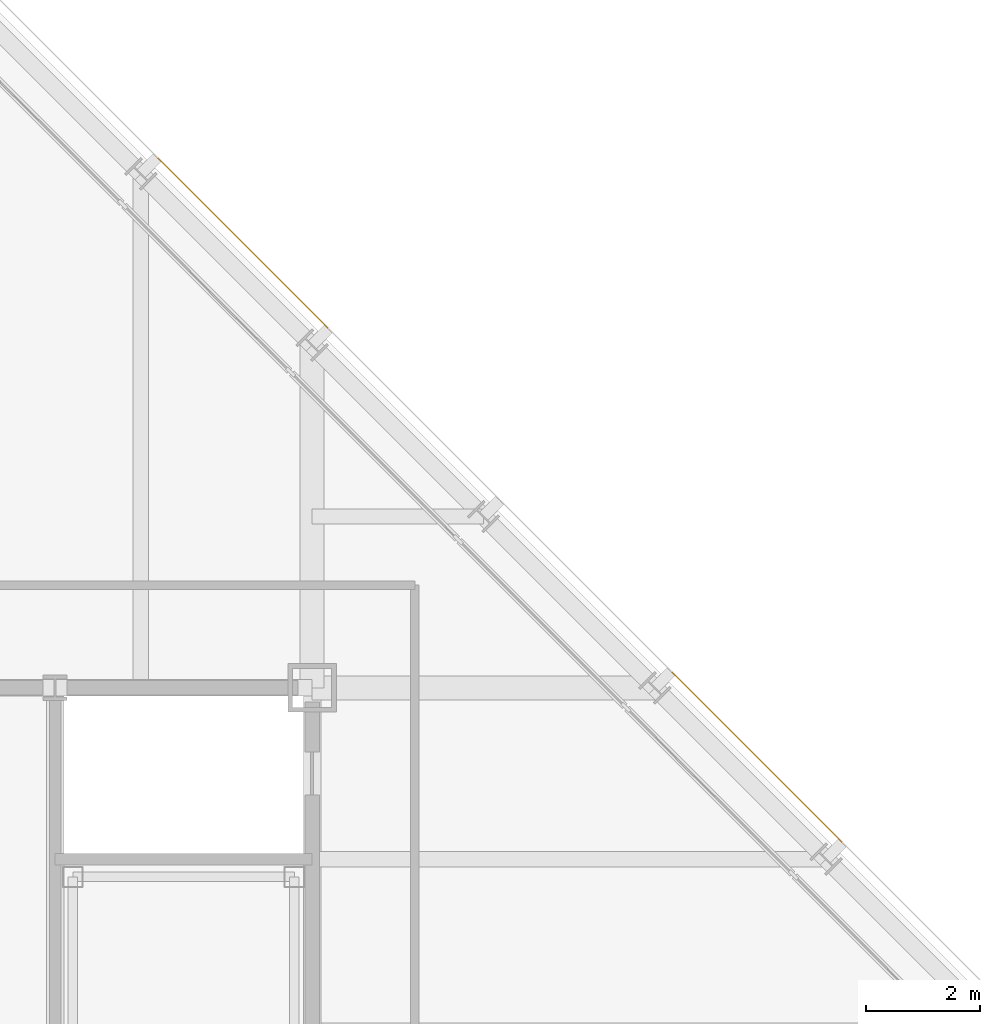
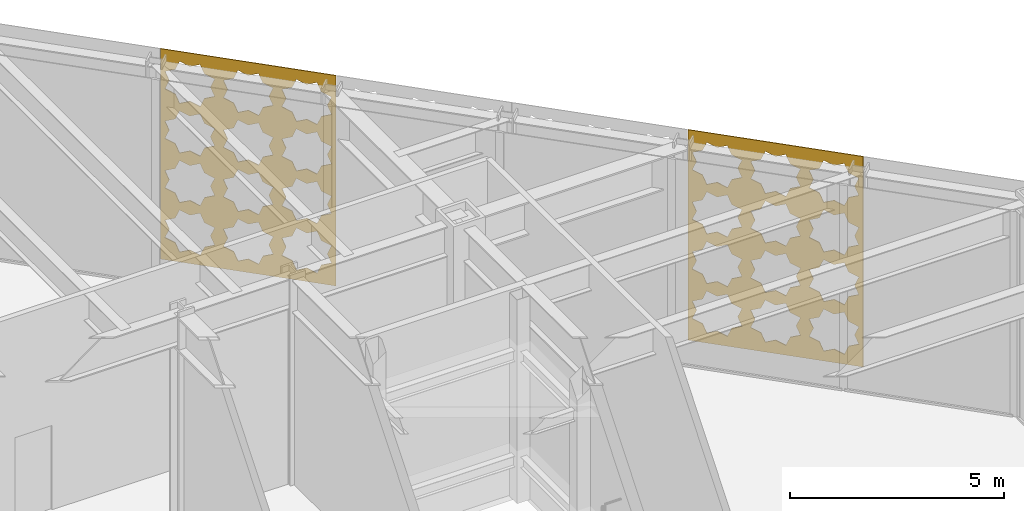
# One storey, part 28 of 28: 2 coverings.
"""IFC4 building model written with IfcOpenShell, lengths in metres."""

import ifcopenshell
import ifcopenshell.guid

model = None  # the IFC model being written
_history = None  # IfcOwnerHistory: only IFC2X3 demands one
_inside = {}  # id of a spatial element -> (the spatial element, [elements in it])
_under = {}  # id of a project, library or spatial element -> (it, [spatial elements below it])
_declared = {}  # id of a project -> (the project, [libraries it declares])
_typed = {}  # id of a type object -> (the type object, [elements of that type])
_made_of = {}  # id of a material, layer set ... -> (it, [elements and type objects made of it])


def new_model(schema):
    """Start an empty IFC model of exactly this schema.

    Asked for "IFC4X3", IfcOpenShell would pick the latest addendum, in which some entities
    have other attributes; the version numbers below select the first issue.
    IFC2X3 requires an IfcOwnerHistory on every rooted entity: one is made here for all.
    """
    global model, _history
    if schema == "IFC4X3":
        model = ifcopenshell.file(schema_version=(4, 3, 0, 0))
    else:
        model = ifcopenshell.file(schema=schema)
    _inside.clear()
    _under.clear()
    _declared.clear()
    _typed.clear()
    _made_of.clear()
    _history = None
    if model.schema == "IFC2X3":
        org = make("IfcOrganization", Name="unknown")
        user = make(
            "IfcPersonAndOrganization",
            ThePerson=make("IfcPerson", FamilyName="unknown"),
            TheOrganization=org,
        )
        app = make(
            "IfcApplication",
            ApplicationDeveloper=org,
            Version="unknown",
            ApplicationFullName="unknown",
            ApplicationIdentifier="unknown",
        )
        _history = make(
            "IfcOwnerHistory",
            OwningUser=user,
            OwningApplication=app,
            ChangeAction="ADDED",
            CreationDate=0,
        )
    return model


def make(cls, **values):
    """One entity of the class cls with the attributes given. An attribute that is None is left unset."""
    return model.create_entity(
        cls, **{name: value for name, value in values.items() if value is not None}
    )


def rooted(cls, **values):
    """An entity with a GlobalId (a new one), such as an element, a storey or a relation."""
    return make(cls, GlobalId=ifcopenshell.guid.new(), OwnerHistory=_history, **values)


def si_unit(unit_type, name, prefix=None):
    """IfcSIUnit, for example si_unit("LENGTHUNIT", "METRE", prefix="MILLI")."""
    return make("IfcSIUnit", UnitType=unit_type, Prefix=prefix, Name=name)


def assignment(units):
    """IfcUnitAssignment: the units of a project."""
    return None if units is None else make("IfcUnitAssignment", Units=units)


def point(xyz):
    """IfcCartesianPoint."""
    return None if xyz is None else make("IfcCartesianPoint", Coordinates=xyz)


def direction(xyz):
    """IfcDirection."""
    return None if xyz is None else make("IfcDirection", DirectionRatios=xyz)


def frame(location, z_axis=None, x_axis=None):
    """IfcAxis2Placement3D, a coordinate frame: its origin and axes. An axis left out is left unset."""
    return make(
        "IfcAxis2Placement3D",
        Location=point(location),
        Axis=direction(z_axis),
        RefDirection=direction(x_axis),
    )


def origin():
    """The frame at (0, 0, 0) with its axes left unset."""
    return frame((0.0, 0.0, 0.0))


def place(relative_to, where):
    """IfcLocalPlacement: puts the frame where relative to a parent placement (None: the world)."""
    return make(
        "IfcLocalPlacement", PlacementRelTo=relative_to, RelativePlacement=where
    )


def context(
    kind, dimensions, precision=None, world=None, true_north=None, identifier=None
):
    """IfcGeometricRepresentationContext, for example the 3D "Model" context."""
    return make(
        "IfcGeometricRepresentationContext",
        ContextIdentifier=identifier,
        ContextType=kind,
        CoordinateSpaceDimension=dimensions,
        Precision=precision,
        WorldCoordinateSystem=world,
        TrueNorth=true_north,
    )


def subcontext(parent, identifier, kind, view, scale=None):
    """IfcGeometricRepresentationSubContext, for example "Body" below "Model"."""
    return make(
        "IfcGeometricRepresentationSubContext",
        ContextIdentifier=identifier,
        ContextType=kind,
        ParentContext=parent,
        TargetScale=scale,
        TargetView=view,
    )


def project(units=None, contexts=None):
    """IfcProject with its units and contexts."""
    return rooted(
        "IfcProject",
        Name="project",
        RepresentationContexts=contexts,
        UnitsInContext=assignment(units),
    )


def spatial(cls, under=None, at=None, **own):
    """A site, building, storey or space (cls), placed at a placement, below another one or the project."""
    s = rooted(cls, ObjectPlacement=at, **own)
    if under is not None:
        _under.setdefault(under.id(), (under, []))[1].append(s)
    return s


def polyline(points):
    """IfcPolyline through the points."""
    return make("IfcPolyline", Points=[point(p) for p in points])


def outline(outer, holes=None, kind="AREA"):
    """IfcArbitraryClosedProfileDef: a profile drawn as a closed curve; with holes, ...WithVoids."""
    if holes is None:
        return make("IfcArbitraryClosedProfileDef", ProfileType=kind, OuterCurve=outer)
    return make(
        "IfcArbitraryProfileDefWithVoids",
        ProfileType=kind,
        OuterCurve=outer,
        InnerCurves=holes,
    )


def extrude(swept, where, along, depth):
    """IfcExtrudedAreaSolid: the profile swept, set in the frame where, extruded along a direction by depth."""
    return make(
        "IfcExtrudedAreaSolid",
        SweptArea=swept,
        Position=where,
        ExtrudedDirection=direction(along),
        Depth=depth,
    )


def shape(context_of_items, identifier, shape_type, items):
    """IfcShapeRepresentation: the items that make up one representation, for example the "Body"."""
    return make(
        "IfcShapeRepresentation",
        ContextOfItems=context_of_items,
        RepresentationIdentifier=identifier,
        RepresentationType=shape_type,
        Items=items,
    )


def material(Name=None, Category=None):
    """IfcMaterial."""
    return make("IfcMaterial", Name=Name, Category=Category)


def layer(
    of_material, thickness, ventilated=None, Name=None, Category=None, Priority=None
):
    """IfcMaterialLayer: one layer of a wall or slab, of a material (None: an air gap)."""
    return make(
        "IfcMaterialLayer",
        Material=of_material,
        LayerThickness=thickness,
        IsVentilated=ventilated,
        Name=Name,
        Category=Category,
        Priority=Priority,
    )


def layer_set(layers, Name=None):
    """IfcMaterialLayerSet."""
    return make("IfcMaterialLayerSet", MaterialLayers=layers, LayerSetName=Name)


def made_of(thing, what):
    """Note that an element or type object is made of a material, layer set ...; save() writes the relation."""
    if what is not None:
        _made_of.setdefault(what.id(), (what, []))[1].append(thing)
    return thing


def type_object(cls, material=None, **own):
    """A type object (cls), such as IfcWallType, which elements share."""
    return made_of(rooted(cls, **own), material)


def element(
    cls,
    number,
    at=None,
    inside=None,
    cuts=None,
    type_object=None,
    material=None,
    context=None,
    identifier="Body",
    shape_type=None,
    held_by="IfcProductDefinitionShape",
    body=None,
    shapes=None,
    **own,
):
    """One element of the class cls, such as IfcWall. Its Tag is "e" and its number.

    at: its placement. inside: the storey or other place that contains it. cuts: it is an
    opening in that element (IfcRelVoidsElement). A single representation is given by context,
    identifier, shape_type and body (its items); several are given by shapes. held_by: the class
    of the entity that holds the representations. save() writes the other relations.
    """
    e = rooted(cls, Tag="e%d" % number, ObjectPlacement=at, **own)
    if body is not None:
        shapes = [shape(context, identifier, shape_type, body)]
    if shapes is not None:
        e.Representation = make(held_by, Representations=shapes)
    if inside is not None:
        _inside.setdefault(inside.id(), (inside, []))[1].append(e)
    if cuts is not None:
        rooted(
            "IfcRelVoidsElement", RelatingBuildingElement=cuts, RelatedOpeningElement=e
        )
    if type_object is not None:
        _typed.setdefault(type_object.id(), (type_object, []))[1].append(e)
    return made_of(e, material)


def aggregate(whole, parts):
    """IfcRelAggregates: a whole, such as a stair, and the parts it consists of."""
    return rooted("IfcRelAggregates", RelatingObject=whole, RelatedObjects=parts)


def save(model, path):
    """Write the relations noted so far, then the file.

    IfcRelAggregates (storeys below a building ...), IfcRelContainedInSpatialStructure (elements
    in a storey), IfcRelDefinesByType, IfcRelAssociatesMaterial and IfcRelDeclares: one each for
    every whole, place, type object, material and project.
    """
    for whole, parts in _under.values():
        aggregate(whole, parts)
    for where, things in _inside.values():
        rooted(
            "IfcRelContainedInSpatialStructure",
            RelatedElements=things,
            RelatingStructure=where,
        )
    for kind, things in _typed.values():
        rooted("IfcRelDefinesByType", RelatedObjects=things, RelatingType=kind)
    for what, things in _made_of.values():
        rooted("IfcRelAssociatesMaterial", RelatedObjects=things, RelatingMaterial=what)
    for by, libraries in _declared.values():
        rooted("IfcRelDeclares", RelatingContext=by, RelatedDefinitions=libraries)
    model.write(path)


model = new_model("IFC4")

# Units and contexts
model_context = context("Model", 3, precision=1e-05, world=origin(), true_north=direction((0.0, 1.0)))
body_context = subcontext(model_context, "Body", "Model", "MODEL_VIEW")
ifc_project = project(units=[si_unit("LENGTHUNIT", "METRE"), si_unit("AREAUNIT", "SQUARE_METRE"), si_unit("VOLUMEUNIT", "CUBIC_METRE"), si_unit("PLANEANGLEUNIT", "RADIAN"), si_unit("MASSUNIT", "GRAM", prefix="KILO")], contexts=[model_context])

# Site, building, storey
site_placement = place(None, origin())
site = spatial("IfcSite", under=ifc_project, at=site_placement, CompositionType="ELEMENT")
building_placement = place(site_placement, origin())
building = spatial("IfcBuilding", under=site, at=building_placement, Name="Chuquiago Exchange Tower", CompositionType="ELEMENT")
storey_placement = place(building_placement, frame((0.0, 0.0, 300.0)))
storey = spatial("IfcBuildingStorey", under=building, at=storey_placement, Name="L67", CompositionType="ELEMENT", Elevation=300.0)

# Coverings
ifc_material = material(Name="Anodised aluminium, pale", Category="aluminium")
ifc_layer = layer(ifc_material, 0.02001953125)
ifc_layer_set = layer_set([ifc_layer], Name="GC4 girih cladding panel 20")
covering_type = type_object("IfcCoveringType", Name="GC4 girih cladding panel 20", PredefinedType="CLADDING", material=ifc_layer_set)
covering_1_placement = place(storey_placement, frame((42.279296875, 30.286376953125, 0.0048828125), z_axis=(0.0, 0.0, 1.0), x_axis=(-0.707106781187, 0.707106781187, 0.0)))
element("IfcCovering", 1, at=covering_1_placement, inside=storey, type_object=covering_type, Name="Girih cladding panel L67 NE 2", PredefinedType="CLADDING", context=body_context, shape_type="SweptSolid", body=[
    extrude(outline(polyline([(0.0, 0.0), (4.232666015625, 0.0), (4.232666015625, 5.990234375), (0.0, 5.990234375), (0.0, 0.0)]), holes=[polyline([(1.2021484375, 0.878662109375), (1.304931640625, 1.127197265625), (1.056640625, 1.22998046875), (0.953857421875, 1.478271484375), (0.70556640625, 1.37548828125), (0.45703125, 1.478271484375), (0.354248046875, 1.22998046875), (0.10595703125, 1.127197265625), (0.208740234375, 0.878662109375), (0.10595703125, 0.63037109375), (0.354248046875, 0.527587890625), (0.45703125, 0.279296875), (0.705322265625, 0.382080078125), (0.953857421875, 0.279296875), (1.056640625, 0.527587890625), (1.304931640625, 0.63037109375), (1.2021484375, 0.878662109375)]), polyline([(2.613037109375, 0.878662109375), (2.7158203125, 1.127197265625), (2.467529296875, 1.22998046875), (2.36474609375, 1.478271484375), (2.116455078125, 1.37548828125), (1.867919921875, 1.478271484375), (1.76513671875, 1.22998046875), (1.516845703125, 1.127197265625), (1.61962890625, 0.878662109375), (1.516845703125, 0.63037109375), (1.76513671875, 0.527587890625), (1.867919921875, 0.279296875), (2.116455078125, 0.382080078125), (2.36474609375, 0.279296875), (2.467529296875, 0.527587890625), (2.7158203125, 0.63037109375), (2.613037109375, 0.878662109375)]), polyline([(4.02392578125, 0.878662109375), (4.126708984375, 1.127197265625), (3.87841796875, 1.22998046875), (3.775634765625, 1.478271484375), (3.527099609375, 1.37548828125), (3.27880859375, 1.478271484375), (3.176025390625, 1.22998046875), (2.927734375, 1.127197265625), (3.030517578125, 0.878662109375), (2.927734375, 0.63037109375), (3.176025390625, 0.527587890625), (3.27880859375, 0.279296875), (3.527099609375, 0.382080078125), (3.775634765625, 0.279296875), (3.87841796875, 0.527587890625), (4.126708984375, 0.63037109375), (4.02392578125, 0.878662109375)]), polyline([(1.2021484375, 2.289794921875), (1.304931640625, 2.5380859375), (1.056640625, 2.640869140625), (0.953857421875, 2.88916015625), (0.70556640625, 2.786376953125), (0.45703125, 2.88916015625), (0.354248046875, 2.640869140625), (0.10595703125, 2.5380859375), (0.208740234375, 2.289794921875), (0.10595703125, 2.041259765625), (0.354248046875, 1.9384765625), (0.45703125, 1.690185546875), (0.705322265625, 1.79296875), (0.953857421875, 1.690185546875), (1.056640625, 1.9384765625), (1.304931640625, 2.041259765625), (1.2021484375, 2.289794921875)]), polyline([(2.613037109375, 2.289794921875), (2.7158203125, 2.5380859375), (2.467529296875, 2.640869140625), (2.36474609375, 2.88916015625), (2.116455078125, 2.786376953125), (1.867919921875, 2.88916015625), (1.76513671875, 2.640869140625), (1.516845703125, 2.5380859375), (1.61962890625, 2.289794921875), (1.516845703125, 2.041259765625), (1.76513671875, 1.9384765625), (1.867919921875, 1.690185546875), (2.116455078125, 1.79296875), (2.36474609375, 1.690185546875), (2.467529296875, 1.9384765625), (2.7158203125, 2.041259765625), (2.613037109375, 2.289794921875)]), polyline([(4.02392578125, 2.289794921875), (4.126708984375, 2.5380859375), (3.87841796875, 2.640869140625), (3.775634765625, 2.88916015625), (3.527099609375, 2.786376953125), (3.27880859375, 2.88916015625), (3.176025390625, 2.640869140625), (2.927734375, 2.5380859375), (3.030517578125, 2.289794921875), (2.927734375, 2.041259765625), (3.176025390625, 1.9384765625), (3.27880859375, 1.690185546875), (3.527099609375, 1.79296875), (3.775634765625, 1.690185546875), (3.87841796875, 1.9384765625), (4.126708984375, 2.041259765625), (4.02392578125, 2.289794921875)]), polyline([(1.2021484375, 3.700439453125), (1.304931640625, 3.948974609375), (1.056640625, 4.0517578125), (0.953857421875, 4.300048828125), (0.70556640625, 4.197265625), (0.45703125, 4.300048828125), (0.354248046875, 4.0517578125), (0.10595703125, 3.948974609375), (0.208740234375, 3.700439453125), (0.10595703125, 3.4521484375), (0.354248046875, 3.349365234375), (0.45703125, 3.10107421875), (0.705322265625, 3.203857421875), (0.953857421875, 3.10107421875), (1.056640625, 3.349365234375), (1.304931640625, 3.4521484375), (1.2021484375, 3.700439453125)]), polyline([(2.613037109375, 3.700439453125), (2.7158203125, 3.948974609375), (2.467529296875, 4.0517578125), (2.36474609375, 4.300048828125), (2.116455078125, 4.197265625), (1.867919921875, 4.300048828125), (1.76513671875, 4.0517578125), (1.516845703125, 3.948974609375), (1.61962890625, 3.700439453125), (1.516845703125, 3.4521484375), (1.76513671875, 3.349365234375), (1.867919921875, 3.10107421875), (2.116455078125, 3.203857421875), (2.36474609375, 3.10107421875), (2.467529296875, 3.349365234375), (2.7158203125, 3.4521484375), (2.613037109375, 3.700439453125)]), polyline([(4.02392578125, 3.700439453125), (4.126708984375, 3.948974609375), (3.87841796875, 4.0517578125), (3.775634765625, 4.300048828125), (3.527099609375, 4.197265625), (3.27880859375, 4.300048828125), (3.176025390625, 4.0517578125), (2.927734375, 3.948974609375), (3.030517578125, 3.700439453125), (2.927734375, 3.4521484375), (3.176025390625, 3.349365234375), (3.27880859375, 3.10107421875), (3.527099609375, 3.203857421875), (3.775634765625, 3.10107421875), (3.87841796875, 3.349365234375), (4.126708984375, 3.4521484375), (4.02392578125, 3.700439453125)]), polyline([(1.2021484375, 5.111572265625), (1.304931640625, 5.35986328125), (1.056640625, 5.462646484375), (0.953857421875, 5.7109375), (0.70556640625, 5.608154296875), (0.45703125, 5.7109375), (0.354248046875, 5.462646484375), (0.10595703125, 5.35986328125), (0.208740234375, 5.111572265625), (0.10595703125, 4.863037109375), (0.354248046875, 4.76025390625), (0.45703125, 4.511962890625), (0.705322265625, 4.61474609375), (0.953857421875, 4.511962890625), (1.056640625, 4.76025390625), (1.304931640625, 4.863037109375), (1.2021484375, 5.111572265625)]), polyline([(2.613037109375, 5.111572265625), (2.7158203125, 5.35986328125), (2.467529296875, 5.462646484375), (2.36474609375, 5.7109375), (2.116455078125, 5.608154296875), (1.867919921875, 5.7109375), (1.76513671875, 5.462646484375), (1.516845703125, 5.35986328125), (1.61962890625, 5.111572265625), (1.516845703125, 4.863037109375), (1.76513671875, 4.76025390625), (1.867919921875, 4.511962890625), (2.116455078125, 4.61474609375), (2.36474609375, 4.511962890625), (2.467529296875, 4.76025390625), (2.7158203125, 4.863037109375), (2.613037109375, 5.111572265625)]), polyline([(4.02392578125, 5.111572265625), (4.126708984375, 5.35986328125), (3.87841796875, 5.462646484375), (3.775634765625, 5.7109375), (3.527099609375, 5.608154296875), (3.27880859375, 5.7109375), (3.176025390625, 5.462646484375), (2.927734375, 5.35986328125), (3.030517578125, 5.111572265625), (2.927734375, 4.863037109375), (3.176025390625, 4.76025390625), (3.27880859375, 4.511962890625), (3.527099609375, 4.61474609375), (3.775634765625, 4.511962890625), (3.87841796875, 4.76025390625), (4.126708984375, 4.863037109375), (4.02392578125, 5.111572265625)])]), frame((0.0, 0.0, 0.0), z_axis=(0.0, -1.0, 0.0), x_axis=(1.0, 0.0, 0.0)), (0.0, 0.0, 1.0), 0.02001953125),
])
covering_2_placement = place(storey_placement, frame((33.279296875, 39.286376953125, 0.0048828125), z_axis=(0.0, 0.0, 1.0), x_axis=(-0.707106781187, 0.707106781187, 0.0)))
element("IfcCovering", 2, at=covering_2_placement, inside=storey, type_object=covering_type, Name="Girih cladding panel L67 NE 5", PredefinedType="CLADDING", context=body_context, shape_type="SweptSolid", body=[
    extrude(outline(polyline([(0.0, 0.0), (4.232666015625, 0.0), (4.232666015625, 5.990234375), (0.0, 5.990234375), (0.0, 0.0)]), holes=[polyline([(1.2021484375, 0.878662109375), (1.304931640625, 1.127197265625), (1.056640625, 1.22998046875), (0.953857421875, 1.478271484375), (0.70556640625, 1.37548828125), (0.45703125, 1.478271484375), (0.354248046875, 1.22998046875), (0.10595703125, 1.127197265625), (0.208740234375, 0.878662109375), (0.10595703125, 0.63037109375), (0.354248046875, 0.527587890625), (0.45703125, 0.279296875), (0.705322265625, 0.382080078125), (0.953857421875, 0.279296875), (1.056640625, 0.527587890625), (1.304931640625, 0.63037109375), (1.2021484375, 0.878662109375)]), polyline([(2.613037109375, 0.878662109375), (2.7158203125, 1.127197265625), (2.467529296875, 1.22998046875), (2.36474609375, 1.478271484375), (2.116455078125, 1.37548828125), (1.867919921875, 1.478271484375), (1.76513671875, 1.22998046875), (1.516845703125, 1.127197265625), (1.61962890625, 0.878662109375), (1.516845703125, 0.63037109375), (1.76513671875, 0.527587890625), (1.867919921875, 0.279296875), (2.116455078125, 0.382080078125), (2.36474609375, 0.279296875), (2.467529296875, 0.527587890625), (2.7158203125, 0.63037109375), (2.613037109375, 0.878662109375)]), polyline([(4.02392578125, 0.878662109375), (4.126708984375, 1.127197265625), (3.87841796875, 1.22998046875), (3.775634765625, 1.478271484375), (3.527099609375, 1.37548828125), (3.27880859375, 1.478271484375), (3.176025390625, 1.22998046875), (2.927734375, 1.127197265625), (3.030517578125, 0.878662109375), (2.927734375, 0.63037109375), (3.176025390625, 0.527587890625), (3.27880859375, 0.279296875), (3.527099609375, 0.382080078125), (3.775634765625, 0.279296875), (3.87841796875, 0.527587890625), (4.126708984375, 0.63037109375), (4.02392578125, 0.878662109375)]), polyline([(1.2021484375, 2.289794921875), (1.304931640625, 2.5380859375), (1.056640625, 2.640869140625), (0.953857421875, 2.88916015625), (0.70556640625, 2.786376953125), (0.45703125, 2.88916015625), (0.354248046875, 2.640869140625), (0.10595703125, 2.5380859375), (0.208740234375, 2.289794921875), (0.10595703125, 2.041259765625), (0.354248046875, 1.9384765625), (0.45703125, 1.690185546875), (0.705322265625, 1.79296875), (0.953857421875, 1.690185546875), (1.056640625, 1.9384765625), (1.304931640625, 2.041259765625), (1.2021484375, 2.289794921875)]), polyline([(2.613037109375, 2.289794921875), (2.7158203125, 2.5380859375), (2.467529296875, 2.640869140625), (2.36474609375, 2.88916015625), (2.116455078125, 2.786376953125), (1.867919921875, 2.88916015625), (1.76513671875, 2.640869140625), (1.516845703125, 2.5380859375), (1.61962890625, 2.289794921875), (1.516845703125, 2.041259765625), (1.76513671875, 1.9384765625), (1.867919921875, 1.690185546875), (2.116455078125, 1.79296875), (2.36474609375, 1.690185546875), (2.467529296875, 1.9384765625), (2.7158203125, 2.041259765625), (2.613037109375, 2.289794921875)]), polyline([(4.02392578125, 2.289794921875), (4.126708984375, 2.5380859375), (3.87841796875, 2.640869140625), (3.775634765625, 2.88916015625), (3.527099609375, 2.786376953125), (3.27880859375, 2.88916015625), (3.176025390625, 2.640869140625), (2.927734375, 2.5380859375), (3.030517578125, 2.289794921875), (2.927734375, 2.041259765625), (3.176025390625, 1.9384765625), (3.27880859375, 1.690185546875), (3.527099609375, 1.79296875), (3.775634765625, 1.690185546875), (3.87841796875, 1.9384765625), (4.126708984375, 2.041259765625), (4.02392578125, 2.289794921875)]), polyline([(1.2021484375, 3.700439453125), (1.304931640625, 3.948974609375), (1.056640625, 4.0517578125), (0.953857421875, 4.300048828125), (0.70556640625, 4.197265625), (0.45703125, 4.300048828125), (0.354248046875, 4.0517578125), (0.10595703125, 3.948974609375), (0.208740234375, 3.700439453125), (0.10595703125, 3.4521484375), (0.354248046875, 3.349365234375), (0.45703125, 3.10107421875), (0.705322265625, 3.203857421875), (0.953857421875, 3.10107421875), (1.056640625, 3.349365234375), (1.304931640625, 3.4521484375), (1.2021484375, 3.700439453125)]), polyline([(2.613037109375, 3.700439453125), (2.7158203125, 3.948974609375), (2.467529296875, 4.0517578125), (2.36474609375, 4.300048828125), (2.116455078125, 4.197265625), (1.867919921875, 4.300048828125), (1.76513671875, 4.0517578125), (1.516845703125, 3.948974609375), (1.61962890625, 3.700439453125), (1.516845703125, 3.4521484375), (1.76513671875, 3.349365234375), (1.867919921875, 3.10107421875), (2.116455078125, 3.203857421875), (2.36474609375, 3.10107421875), (2.467529296875, 3.349365234375), (2.7158203125, 3.4521484375), (2.613037109375, 3.700439453125)]), polyline([(4.02392578125, 3.700439453125), (4.126708984375, 3.948974609375), (3.87841796875, 4.0517578125), (3.775634765625, 4.300048828125), (3.527099609375, 4.197265625), (3.27880859375, 4.300048828125), (3.176025390625, 4.0517578125), (2.927734375, 3.948974609375), (3.030517578125, 3.700439453125), (2.927734375, 3.4521484375), (3.176025390625, 3.349365234375), (3.27880859375, 3.10107421875), (3.527099609375, 3.203857421875), (3.775634765625, 3.10107421875), (3.87841796875, 3.349365234375), (4.126708984375, 3.4521484375), (4.02392578125, 3.700439453125)]), polyline([(1.2021484375, 5.111572265625), (1.304931640625, 5.35986328125), (1.056640625, 5.462646484375), (0.953857421875, 5.7109375), (0.70556640625, 5.608154296875), (0.45703125, 5.7109375), (0.354248046875, 5.462646484375), (0.10595703125, 5.35986328125), (0.208740234375, 5.111572265625), (0.10595703125, 4.863037109375), (0.354248046875, 4.76025390625), (0.45703125, 4.511962890625), (0.705322265625, 4.61474609375), (0.953857421875, 4.511962890625), (1.056640625, 4.76025390625), (1.304931640625, 4.863037109375), (1.2021484375, 5.111572265625)]), polyline([(2.613037109375, 5.111572265625), (2.7158203125, 5.35986328125), (2.467529296875, 5.462646484375), (2.36474609375, 5.7109375), (2.116455078125, 5.608154296875), (1.867919921875, 5.7109375), (1.76513671875, 5.462646484375), (1.516845703125, 5.35986328125), (1.61962890625, 5.111572265625), (1.516845703125, 4.863037109375), (1.76513671875, 4.76025390625), (1.867919921875, 4.511962890625), (2.116455078125, 4.61474609375), (2.36474609375, 4.511962890625), (2.467529296875, 4.76025390625), (2.7158203125, 4.863037109375), (2.613037109375, 5.111572265625)]), polyline([(4.02392578125, 5.111572265625), (4.126708984375, 5.35986328125), (3.87841796875, 5.462646484375), (3.775634765625, 5.7109375), (3.527099609375, 5.608154296875), (3.27880859375, 5.7109375), (3.176025390625, 5.462646484375), (2.927734375, 5.35986328125), (3.030517578125, 5.111572265625), (2.927734375, 4.863037109375), (3.176025390625, 4.76025390625), (3.27880859375, 4.511962890625), (3.527099609375, 4.61474609375), (3.775634765625, 4.511962890625), (3.87841796875, 4.76025390625), (4.126708984375, 4.863037109375), (4.02392578125, 5.111572265625)])]), frame((0.0, 0.0, 0.0), z_axis=(0.0, -1.0, 0.0), x_axis=(1.0, 0.0, 0.0)), (0.0, 0.0, 1.0), 0.02001953125),
])

save(model, "model.ifc")
